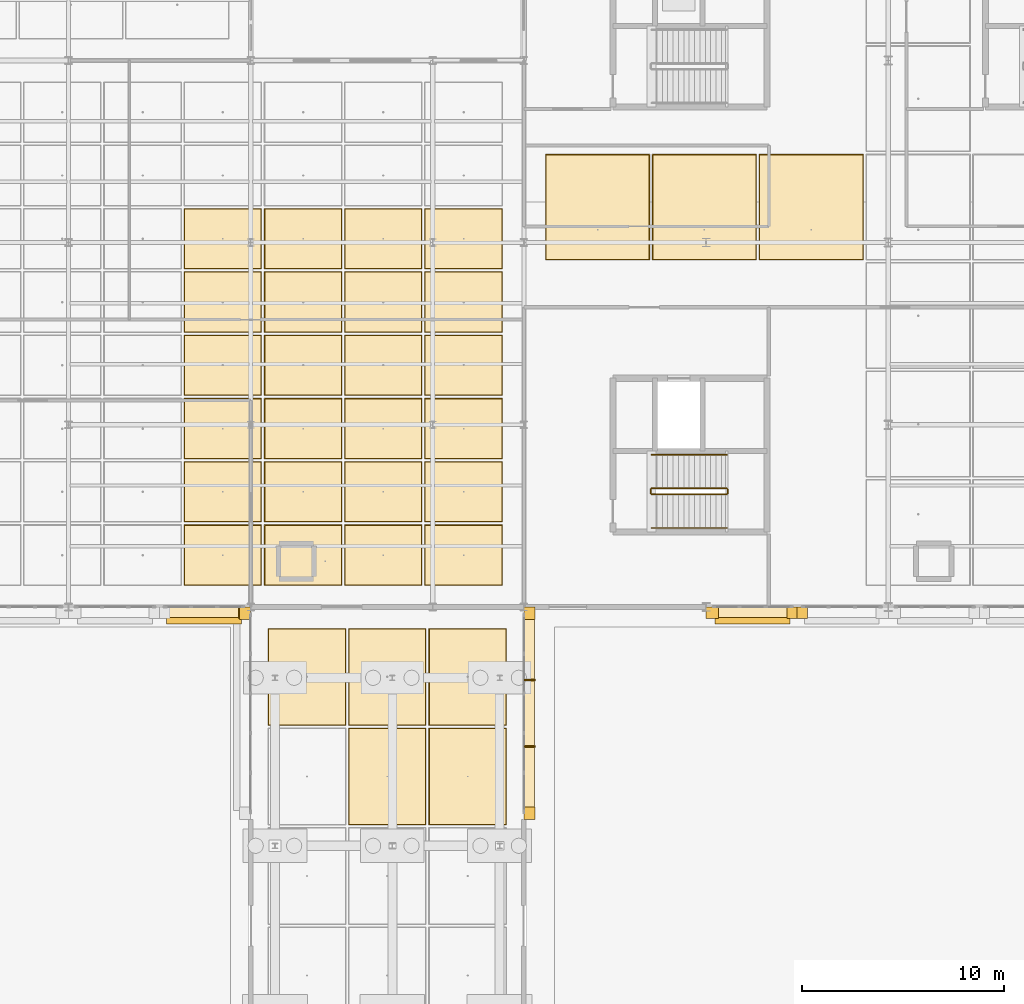
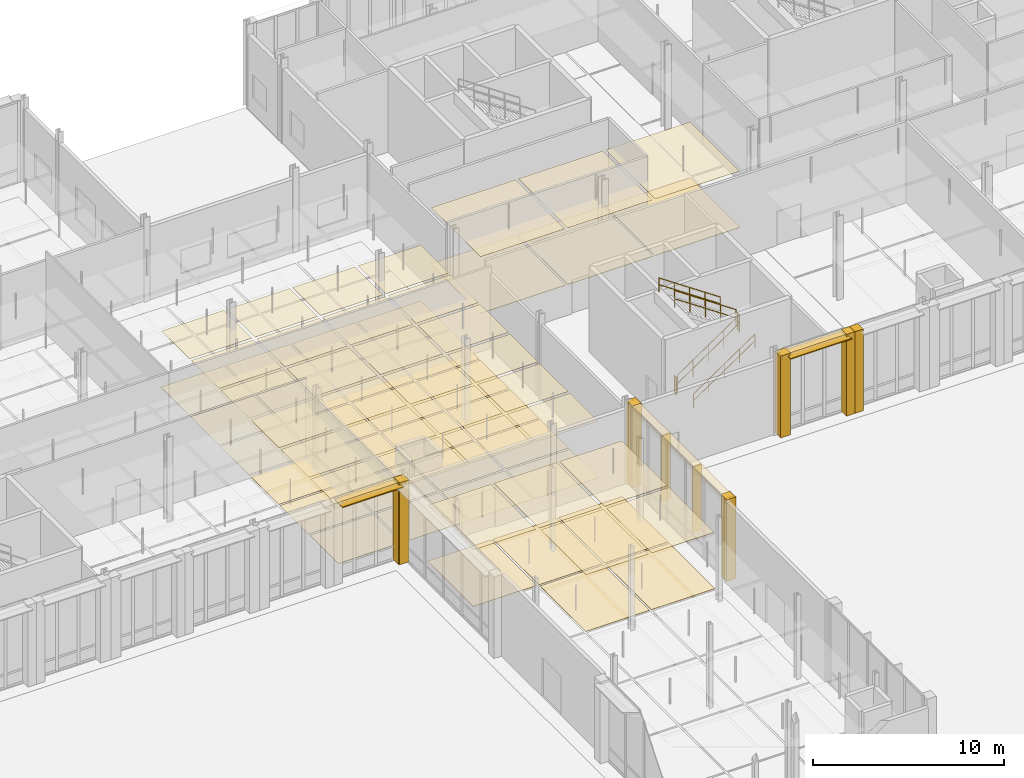
# One storey, part 174 of 180: 74 coverings, 6 railings, 4 shading devices.
"""IFC4 building model written with IfcOpenShell, lengths in metres."""

from ifc_helpers import new_model, si_unit, direction, frame, origin, origin_2d, place, context, subcontext, project, spatial, rectangle, circle, extrude, material, layer, layer_set, type_object, element, save


model = new_model("IFC4")

# Units and contexts
model_context = context("Model", 3, precision=1e-05, world=origin(), true_north=direction((0.0, 1.0)))
body_context = subcontext(model_context, "Body", "Model", "MODEL_VIEW")
ifc_project = project(units=[si_unit("LENGTHUNIT", "METRE"), si_unit("AREAUNIT", "SQUARE_METRE"), si_unit("VOLUMEUNIT", "CUBIC_METRE"), si_unit("PLANEANGLEUNIT", "RADIAN"), si_unit("MASSUNIT", "GRAM", prefix="KILO"), si_unit("THERMODYNAMICTEMPERATUREUNIT", "KELVIN"), si_unit("POWERUNIT", "WATT")], contexts=[model_context])

# Site, building, storey
site_placement = place(None, origin())
site = spatial("IfcSite", under=ifc_project, at=site_placement, CompositionType="ELEMENT")
building_placement = place(site_placement, origin())
building = spatial("IfcBuilding", under=site, at=building_placement, Name="Tallowbark Science Centre", CompositionType="ELEMENT")
storey_placement = place(building_placement, origin())
storey = spatial("IfcBuildingStorey", under=building, at=storey_placement, Name="L00", CompositionType="ELEMENT", Elevation=0.0)

# Coverings
ifc_material_1 = material(Name="Mineral-Fibre Acoustic Ceiling Tile Grid")
ifc_layer_1 = layer(ifc_material_1, 0.01806640625)
ifc_layer_set_1 = layer_set([ifc_layer_1], Name="Mineral-Fibre Acoustic Ceiling Tile Grid")
covering_type_1 = type_object("IfcCoveringType", Name="CLG-ACT-18", PredefinedType="CEILING", material=ifc_layer_set_1)
for number, where, z_axis, x_axis, name in (
    (1, (116.138916015625, 91.75, 3.591064453125), (0.0, 0.0, 1.0), (1.0, 0.0, 0.0), "Suspended Ceiling L00-421"),
    (2, (121.416748046875, 91.75, 3.591064453125), (0.0, 0.0, 1.0), (1.0, 0.0, 0.0), "Suspended Ceiling L00-423"),
    (3, (126.6943359375, 91.75, 3.591064453125), (0.0, 0.0, 1.0), (1.0, 0.0, 0.0), "Suspended Ceiling L00-425"),
):
    element("IfcCovering", number, at=place(storey_placement, frame(where, z_axis=z_axis, x_axis=x_axis)), inside=storey, type_object=covering_type_1, Name=name, PredefinedType="CEILING", context=body_context, shape_type="SweptSolid", body=[
        extrude(rectangle(XDim=5.097900390625, YDim=5.177001953125, at=origin_2d()), origin(), (0.0, 0.0, 1.0), 0.01806640625),
    ])
ifc_material_2 = material(Name="Cleanable Vinyl-Faced Laboratory Ceiling Tile")
ifc_layer_2 = layer(ifc_material_2, 0.01611328125)
ifc_layer_set_2 = layer_set([ifc_layer_2], Name="Cleanable Vinyl-Faced Laboratory Ceiling Tile")
covering_type_2 = type_object("IfcCoveringType", Name="CLG-LAB-16", PredefinedType="CEILING", material=ifc_layer_set_2)
for number, where, z_axis, x_axis, name in (
    (4, (97.625, 74.5625, 3.592041015625), (0.0, 0.0, 1.0), (1.0, 0.0, 0.0), "Suspended Ceiling L00-365"),
    (5, (97.625, 77.6875, 3.592041015625), (0.0, 0.0, 1.0), (1.0, 0.0, 0.0), "Suspended Ceiling L00-366"),
    (6, (97.625, 80.8125, 3.592041015625), (0.0, 0.0, 1.0), (1.0, 0.0, 0.0), "Suspended Ceiling L00-367"),
    (7, (97.625, 83.9375, 3.592041015625), (0.0, 0.0, 1.0), (1.0, 0.0, 0.0), "Suspended Ceiling L00-368"),
    (8, (97.625, 87.0625, 3.592041015625), (0.0, 0.0, 1.0), (1.0, 0.0, 0.0), "Suspended Ceiling L00-369"),
    (9, (97.625, 90.1875, 3.592041015625), (0.0, 0.0, 1.0), (1.0, 0.0, 0.0), "Suspended Ceiling L00-370"),
    (10, (101.58935546875, 74.5625, 3.592041015625), (0.0, 0.0, 1.0), (1.0, 0.0, 0.0), "Suspended Ceiling L00-373"),
    (11, (101.58935546875, 77.6875, 3.592041015625), (0.0, 0.0, 1.0), (1.0, 0.0, 0.0), "Suspended Ceiling L00-374"),
    (12, (101.58935546875, 80.8125, 3.592041015625), (0.0, 0.0, 1.0), (1.0, 0.0, 0.0), "Suspended Ceiling L00-375"),
    (13, (101.58935546875, 83.9375, 3.592041015625), (0.0, 0.0, 1.0), (1.0, 0.0, 0.0), "Suspended Ceiling L00-376"),
    (14, (101.58935546875, 87.0625, 3.592041015625), (0.0, 0.0, 1.0), (1.0, 0.0, 0.0), "Suspended Ceiling L00-377"),
    (15, (101.58935546875, 90.1875, 3.592041015625), (0.0, 0.0, 1.0), (1.0, 0.0, 0.0), "Suspended Ceiling L00-378"),
    (16, (105.5537109375, 74.5625, 3.592041015625), (0.0, 0.0, 1.0), (1.0, 0.0, 0.0), "Suspended Ceiling L00-381"),
    (17, (105.5537109375, 77.6875, 3.592041015625), (0.0, 0.0, 1.0), (1.0, 0.0, 0.0), "Suspended Ceiling L00-382"),
    (18, (105.5537109375, 80.8125, 3.592041015625), (0.0, 0.0, 1.0), (1.0, 0.0, 0.0), "Suspended Ceiling L00-383"),
    (19, (105.5537109375, 83.9375, 3.592041015625), (0.0, 0.0, 1.0), (1.0, 0.0, 0.0), "Suspended Ceiling L00-384"),
    (20, (105.5537109375, 87.0625, 3.592041015625), (0.0, 0.0, 1.0), (1.0, 0.0, 0.0), "Suspended Ceiling L00-385"),
    (21, (105.5537109375, 90.1875, 3.592041015625), (0.0, 0.0, 1.0), (1.0, 0.0, 0.0), "Suspended Ceiling L00-386"),
    (22, (109.517822265625, 74.5625, 3.592041015625), (0.0, 0.0, 1.0), (1.0, 0.0, 0.0), "Suspended Ceiling L00-389"),
    (23, (109.517822265625, 77.6875, 3.592041015625), (0.0, 0.0, 1.0), (1.0, 0.0, 0.0), "Suspended Ceiling L00-390"),
    (24, (109.517822265625, 80.8125, 3.592041015625), (0.0, 0.0, 1.0), (1.0, 0.0, 0.0), "Suspended Ceiling L00-391"),
    (25, (109.517822265625, 83.9375, 3.592041015625), (0.0, 0.0, 1.0), (1.0, 0.0, 0.0), "Suspended Ceiling L00-392"),
    (26, (109.517822265625, 87.0625, 3.592041015625), (0.0, 0.0, 1.0), (1.0, 0.0, 0.0), "Suspended Ceiling L00-393"),
    (27, (109.517822265625, 90.1875, 3.592041015625), (0.0, 0.0, 1.0), (1.0, 0.0, 0.0), "Suspended Ceiling L00-394"),
):
    element("IfcCovering", number, at=place(storey_placement, frame(where, z_axis=z_axis, x_axis=x_axis)), inside=storey, type_object=covering_type_2, Name=name, PredefinedType="CEILING", context=body_context, shape_type="SweptSolid", body=[
        extrude(rectangle(XDim=3.7841796875, YDim=2.945068359375, at=origin_2d()), origin(), (0.0, 0.0, 1.0), 0.01611328125),
    ])
ifc_material_3 = material(Name="Perforated Spotted Gum Acoustic Baffle Ceiling", Category="wood")
ifc_layer_3 = layer(ifc_material_3, 0.02490234375)
ifc_layer_set_3 = layer_set([ifc_layer_3], Name="Perforated Spotted Gum Acoustic Baffle Ceiling")
covering_type_3 = type_object("IfcCoveringType", Name="CLG-TIM-25", PredefinedType="CEILING", material=ifc_layer_set_3)
for number, where, z_axis, x_axis, name in (
    (28, (101.783203125, 68.541748046875, 3.587646484375), (0.0, 0.0, 1.0), (1.0, 0.0, 0.0), "Suspended Ceiling L00-470"),
    (29, (105.75, 63.625, 3.587646484375), (0.0, 0.0, 1.0), (1.0, 0.0, 0.0), "Suspended Ceiling L00-475"),
    (30, (105.75, 68.541748046875, 3.587646484375), (0.0, 0.0, 1.0), (1.0, 0.0, 0.0), "Suspended Ceiling L00-476"),
    (31, (109.716796875, 63.625, 3.587646484375), (0.0, 0.0, 1.0), (1.0, 0.0, 0.0), "Suspended Ceiling L00-481"),
    (32, (109.716796875, 68.541748046875, 3.587646484375), (0.0, 0.0, 1.0), (1.0, 0.0, 0.0), "Suspended Ceiling L00-482"),
):
    element("IfcCovering", number, at=place(storey_placement, frame(where, z_axis=z_axis, x_axis=x_axis)), inside=storey, type_object=covering_type_3, Name=name, PredefinedType="CEILING", context=body_context, shape_type="SweptSolid", body=[
        extrude(rectangle(XDim=3.78662109375, YDim=4.73681640625, at=origin_2d()), origin(), (0.0, 0.0, 1.0), 0.02490234375),
    ])
ifc_material_4 = material(Name="White Architectural Precast Concrete Grade N40 (40 MPa)", Category="concrete")
ifc_layer_4 = layer(ifc_material_4, 0.1201171875)
ifc_layer_set_4 = layer_set([ifc_layer_4], Name="White Architectural Precast Concrete Grade N40 (40 MPa)")
covering_type_4 = type_object("IfcCoveringType", Name="COV-PRC-CLAD", PredefinedType="CLADDING", material=ifc_layer_set_4)
for number, where, z_axis, x_axis, name in (
    (33, (98.719970703125, 71.695068359375, 0.0), (0.0, 0.0, 1.0), (0.0, -1.0, 0.0), "Postmodern Deep Precast Pier CW-L00-008-1"),
    (34, (112.780029296875, 61.804931640625, 0.0), (0.0, 0.0, 1.0), (0.0, 1.0, 0.0), "Postmodern Deep Precast Pier CW-L00-009-1"),
    (35, (112.780029296875, 71.695068359375, 0.0), (0.0, 0.0, 1.0), (0.0, 1.0, 0.0), "Postmodern Deep Precast Pier CW-L00-009-2"),
    (36, (98.695068359375, 71.719970703125, 0.0), (0.0, 0.0, 1.0), (1.0, 0.0, 0.0), "Postmodern Deep Precast Pier CW-L00-027-2"),
    (37, (121.804931640625, 71.719970703125, 0.0), (0.0, 0.0, 1.0), (1.0, 0.0, 0.0), "Postmodern Deep Precast Pier CW-L00-092-1"),
):
    element("IfcCovering", number, at=place(storey_placement, frame(where, z_axis=z_axis, x_axis=x_axis)), inside=storey, type_object=covering_type_4, Name=name, PredefinedType="CLADDING", context=body_context, shape_type="SweptSolid", body=[
        extrude(rectangle(XDim=0.610107421875, YDim=0.56005859375, at=origin_2d()), origin(), (0.0, 0.0, 1.0), 5.219970703125),
    ])
for number, where, z_axis, x_axis, name in (
    (38, (125.7451171875, 71.719970703125, 0.0), (0.0, 0.0, 1.0), (1.0, 0.0, 0.0), "Postmodern Deep Precast Pier CW-L00-092-2"),
    (39, (126.2548828125, 71.719970703125, 0.0), (0.0, 0.0, 1.0), (1.0, 0.0, 0.0), "Postmodern Deep Precast Pier CW-L00-093-1"),
):
    element("IfcCovering", number, at=place(storey_placement, frame(where, z_axis=z_axis, x_axis=x_axis)), inside=storey, type_object=covering_type_4, Name=name, PredefinedType="CLADDING", context=body_context, shape_type="SweptSolid", body=[
        extrude(rectangle(XDim=0.510009765625, YDim=0.56005859375, at=origin_2d()), origin(), (0.0, 0.0, 1.0), 5.219970703125),
    ])
ifc_material_5 = material(Name="Vitrified Ochre Terracotta Architectural Rainscreen", Category="masonry")
ifc_layer_5 = layer(ifc_material_5, 0.0380859375)
ifc_layer_set_5 = layer_set([ifc_layer_5], Name="Vitrified Ochre Terracotta Architectural Rainscreen")
covering_type_5 = type_object("IfcCoveringType", Name="COV-TER-CLAD", PredefinedType="CLADDING", material=ifc_layer_set_5)
covering_placement = place(storey_placement, frame((112.760009765625, 66.75, 4.8701171875), z_axis=(0.0, 0.0, 1.0), x_axis=(0.0, 1.0, 0.0)))
element("IfcCovering", 40, at=covering_placement, inside=storey, type_object=covering_type_5, Name="Postmodern Terracotta Cornice Band CW-L00-009", PredefinedType="CLADDING", context=body_context, shape_type="SweptSolid", body=[
    extrude(rectangle(XDim=10.199951171875, YDim=0.52001953125, at=origin_2d()), origin(), (0.0, 0.0, 1.0), 0.340087890625),
])
for number, where, z_axis, x_axis, name in (
    (41, (96.699951171875, 71.739990234375, 4.8701171875), (0.0, 0.0, 1.0), (1.0, 0.0, 0.0), "Postmodern Terracotta Cornice Band CW-L00-027"),
    (42, (123.800048828125, 71.739990234375, 4.8701171875), (0.0, 0.0, 1.0), (1.0, 0.0, 0.0), "Postmodern Terracotta Cornice Band CW-L00-092"),
):
    element("IfcCovering", number, at=place(storey_placement, frame(where, z_axis=z_axis, x_axis=x_axis)), inside=storey, type_object=covering_type_5, Name=name, PredefinedType="CLADDING", context=body_context, shape_type="SweptSolid", body=[
        extrude(rectangle(XDim=4.300048828125, YDim=0.52001953125, at=origin_2d()), origin(), (0.0, 0.0, 1.0), 0.340087890625),
    ])
ifc_material_6 = material(Name="Polished Recycled-Glass Terrazzo Foyer Flooring", Category="glass")
ifc_layer_6 = layer(ifc_material_6, 0.02001953125)
ifc_layer_set_6 = layer_set([ifc_layer_6], Name="Polished Recycled-Glass Terrazzo Foyer Flooring")
covering_type_6 = type_object("IfcCoveringType", Name="FLR-TER-20", PredefinedType="FLOORING", material=ifc_layer_set_6)
for number, where, z_axis, x_axis, name in (
    (43, (101.783203125, 68.541748046875, 0.0), (0.0, 0.0, 1.0), (1.0, 0.0, 0.0), "Floor Finish L00-470"),
    (44, (105.75, 63.625, 0.0), (0.0, 0.0, 1.0), (1.0, 0.0, 0.0), "Floor Finish L00-475"),
    (45, (105.75, 68.541748046875, 0.0), (0.0, 0.0, 1.0), (1.0, 0.0, 0.0), "Floor Finish L00-476"),
    (46, (109.716796875, 63.625, 0.0), (0.0, 0.0, 1.0), (1.0, 0.0, 0.0), "Floor Finish L00-481"),
    (47, (109.716796875, 68.541748046875, 0.0), (0.0, 0.0, 1.0), (1.0, 0.0, 0.0), "Floor Finish L00-482"),
):
    element("IfcCovering", number, at=place(storey_placement, frame(where, z_axis=z_axis, x_axis=x_axis)), inside=storey, type_object=covering_type_6, Name=name, PredefinedType="FLOORING", context=body_context, shape_type="SweptSolid", body=[
        extrude(rectangle(XDim=3.8466796875, YDim=4.796630859375, at=origin_2d()), origin(), (0.0, 0.0, 1.0), 0.02001953125),
    ])
ifc_material_7 = material(Name="Engineered Blackbutt Gallery Timber Flooring", Category="wood")
ifc_layer_7 = layer(ifc_material_7, 0.02197265625)
ifc_layer_set_7 = layer_set([ifc_layer_7], Name="Engineered Blackbutt Gallery Timber Flooring")
covering_type_7 = type_object("IfcCoveringType", Name="FLR-TIM-22", PredefinedType="FLOORING", material=ifc_layer_set_7)
for number, where, z_axis, x_axis, name in (
    (48, (116.138916015625, 91.75, 0.0), (0.0, 0.0, 1.0), (1.0, 0.0, 0.0), "Floor Finish L00-421"),
    (49, (121.416748046875, 91.75, 0.0), (0.0, 0.0, 1.0), (1.0, 0.0, 0.0), "Floor Finish L00-423"),
    (50, (126.6943359375, 91.75, 0.0), (0.0, 0.0, 1.0), (1.0, 0.0, 0.0), "Floor Finish L00-425"),
):
    element("IfcCovering", number, at=place(storey_placement, frame(where, z_axis=z_axis, x_axis=x_axis)), inside=storey, type_object=covering_type_7, Name=name, PredefinedType="FLOORING", context=body_context, shape_type="SweptSolid", body=[
        extrude(rectangle(XDim=5.15771484375, YDim=5.237060546875, at=origin_2d()), origin(), (0.0, 0.0, 1.0), 0.02197265625),
    ])
ifc_material_8 = material(Name="Chemical-Resistant Seamless Laboratory Vinyl")
ifc_layer_8 = layer(ifc_material_8, 0.011962890625)
ifc_layer_set_8 = layer_set([ifc_layer_8], Name="Chemical-Resistant Seamless Laboratory Vinyl")
covering_type_8 = type_object("IfcCoveringType", Name="FLR-VIN-12", PredefinedType="FLOORING", material=ifc_layer_set_8)
for number, where, z_axis, x_axis, name in (
    (51, (97.625, 74.5625, 0.0), (0.0, 0.0, 1.0), (1.0, 0.0, 0.0), "Floor Finish L00-365"),
    (52, (97.625, 77.6875, 0.0), (0.0, 0.0, 1.0), (1.0, 0.0, 0.0), "Floor Finish L00-366"),
    (53, (97.625, 80.8125, 0.0), (0.0, 0.0, 1.0), (1.0, 0.0, 0.0), "Floor Finish L00-367"),
    (54, (97.625, 83.9375, 0.0), (0.0, 0.0, 1.0), (1.0, 0.0, 0.0), "Floor Finish L00-368"),
    (55, (97.625, 87.0625, 0.0), (0.0, 0.0, 1.0), (1.0, 0.0, 0.0), "Floor Finish L00-369"),
    (56, (97.625, 90.1875, 0.0), (0.0, 0.0, 1.0), (1.0, 0.0, 0.0), "Floor Finish L00-370"),
    (57, (101.58935546875, 74.5625, 0.0), (0.0, 0.0, 1.0), (1.0, 0.0, 0.0), "Floor Finish L00-373"),
    (58, (101.58935546875, 77.6875, 0.0), (0.0, 0.0, 1.0), (1.0, 0.0, 0.0), "Floor Finish L00-374"),
    (59, (101.58935546875, 80.8125, 0.0), (0.0, 0.0, 1.0), (1.0, 0.0, 0.0), "Floor Finish L00-375"),
    (60, (101.58935546875, 83.9375, 0.0), (0.0, 0.0, 1.0), (1.0, 0.0, 0.0), "Floor Finish L00-376"),
    (61, (101.58935546875, 87.0625, 0.0), (0.0, 0.0, 1.0), (1.0, 0.0, 0.0), "Floor Finish L00-377"),
    (62, (101.58935546875, 90.1875, 0.0), (0.0, 0.0, 1.0), (1.0, 0.0, 0.0), "Floor Finish L00-378"),
    (63, (105.5537109375, 74.5625, 0.0), (0.0, 0.0, 1.0), (1.0, 0.0, 0.0), "Floor Finish L00-381"),
    (64, (105.5537109375, 77.6875, 0.0), (0.0, 0.0, 1.0), (1.0, 0.0, 0.0), "Floor Finish L00-382"),
    (65, (105.5537109375, 80.8125, 0.0), (0.0, 0.0, 1.0), (1.0, 0.0, 0.0), "Floor Finish L00-383"),
    (66, (105.5537109375, 83.9375, 0.0), (0.0, 0.0, 1.0), (1.0, 0.0, 0.0), "Floor Finish L00-384"),
    (67, (105.5537109375, 87.0625, 0.0), (0.0, 0.0, 1.0), (1.0, 0.0, 0.0), "Floor Finish L00-385"),
    (68, (105.5537109375, 90.1875, 0.0), (0.0, 0.0, 1.0), (1.0, 0.0, 0.0), "Floor Finish L00-386"),
    (69, (109.517822265625, 74.5625, 0.0), (0.0, 0.0, 1.0), (1.0, 0.0, 0.0), "Floor Finish L00-389"),
    (70, (109.517822265625, 77.6875, 0.0), (0.0, 0.0, 1.0), (1.0, 0.0, 0.0), "Floor Finish L00-390"),
    (71, (109.517822265625, 80.8125, 0.0), (0.0, 0.0, 1.0), (1.0, 0.0, 0.0), "Floor Finish L00-391"),
    (72, (109.517822265625, 83.9375, 0.0), (0.0, 0.0, 1.0), (1.0, 0.0, 0.0), "Floor Finish L00-392"),
    (73, (109.517822265625, 87.0625, 0.0), (0.0, 0.0, 1.0), (1.0, 0.0, 0.0), "Floor Finish L00-393"),
    (74, (109.517822265625, 90.1875, 0.0), (0.0, 0.0, 1.0), (1.0, 0.0, 0.0), "Floor Finish L00-394"),
):
    element("IfcCovering", number, at=place(storey_placement, frame(where, z_axis=z_axis, x_axis=x_axis)), inside=storey, type_object=covering_type_8, Name=name, PredefinedType="FLOORING", context=body_context, shape_type="SweptSolid", body=[
        extrude(rectangle(XDim=3.84423828125, YDim=3.0048828125, at=origin_2d()), origin(), (0.0, 0.0, 1.0), 0.011962890625),
    ])

# Railings
ifc_material_9 = material(Name="Galvanised Painted Steel and Laminated Glass Balustrade", Category="steel")
ifc_layer_9 = layer(ifc_material_9, 0.070068359375)
ifc_layer_set_9 = layer_set([ifc_layer_9], Name="Galvanised Painted Steel and Laminated Glass Balustrade")
railing_type_1 = type_object("IfcRailingType", Name="RLG-BAL-1150", PredefinedType="BALUSTRADE", material=ifc_layer_set_9)
railing_1_placement = place(storey_placement, frame((118.81005859375, 77.56005859375, 0.179931640625)))
element("IfcRailing", 75, at=railing_1_placement, inside=storey, type_object=railing_type_1, Name="L00 ST-02 stair guard 1", PredefinedType="BALUSTRADE", context=body_context, shape_type="SweptSolid", body=[
    extrude(circle(Radius=0.02392578125, at=origin_2d()), frame((0.0, 0.0, 1.076171875), z_axis=(0.827211917306, 0.0, 0.561890063861), x_axis=(0.0, 1.0, 0.0)), (0.0, 0.0, 1.0), 4.48486328125),
    extrude(circle(Radius=0.02392578125, at=origin_2d()), frame((0.0, 0.0, 0.550048828125), z_axis=(0.827211917306, 0.0, 0.561890063861), x_axis=(0.0, 1.0, 0.0)), (0.0, 0.0, 1.0), 4.48486328125),
    extrude(circle(Radius=0.02099609375, at=origin_2d()), origin(), (0.0, 0.0, 1.0), 1.052001953125),
    extrude(circle(Radius=0.02099609375, at=origin_2d()), frame((0.927490234375, 0.0, 0.6298828125)), (0.0, 0.0, 1.0), 1.052001953125),
    extrude(circle(Radius=0.02099609375, at=origin_2d()), frame((1.85498046875, 0.0, 1.260009765625)), (0.0, 0.0, 1.0), 1.052001953125),
    extrude(circle(Radius=0.02099609375, at=origin_2d()), frame((2.782470703125, 0.0, 1.89013671875)), (0.0, 0.0, 1.0), 1.052001953125),
    extrude(circle(Radius=0.02099609375, at=origin_2d()), frame((3.7099609375, 0.0, 2.52001953125)), (0.0, 0.0, 1.0), 1.052001953125),
])
railing_2_placement = place(storey_placement, frame((122.570068359375, 77.610107421875, 2.699951171875)))
element("IfcRailing", 76, at=railing_2_placement, inside=storey, type_object=railing_type_1, Name="L00 ST-02 stair guard 2", PredefinedType="BALUSTRADE", context=body_context, shape_type="SweptSolid", body=[
    extrude(circle(Radius=0.02392578125, at=origin_2d()), frame((0.0, 0.0, 1.076171875), z_axis=(0.0, 1.0, 0.0), x_axis=(-1.0, 0.0, 0.0)), (0.0, 0.0, 1.0), 0.199951171875),
    extrude(circle(Radius=0.02392578125, at=origin_2d()), frame((0.0, 0.0, 0.550048828125), z_axis=(0.0, 1.0, 0.0), x_axis=(-1.0, 0.0, 0.0)), (0.0, 0.0, 1.0), 0.199951171875),
    extrude(circle(Radius=0.02099609375, at=origin_2d()), origin(), (0.0, 0.0, 1.0), 1.052001953125),
    extrude(circle(Radius=0.02099609375, at=origin_2d()), frame((0.0, 0.199951171875, 0.0)), (0.0, 0.0, 1.0), 1.052001953125),
])
railing_3_placement = place(storey_placement, frame((122.52001953125, 77.860107421875, 2.8798828125)))
element("IfcRailing", 77, at=railing_3_placement, inside=storey, type_object=railing_type_1, Name="L00 ST-02 stair guard 3", PredefinedType="BALUSTRADE", context=body_context, shape_type="SweptSolid", body=[
    extrude(circle(Radius=0.02392578125, at=origin_2d()), frame((0.0, 0.0, 1.076171875), z_axis=(-0.827211917306, 0.0, 0.561890063861), x_axis=(0.0, -1.0, 0.0)), (0.0, 0.0, 1.0), 4.48486328125),
    extrude(circle(Radius=0.02392578125, at=origin_2d()), frame((0.0, 0.0, 0.550048828125), z_axis=(-0.827211917306, 0.0, 0.561890063861), x_axis=(0.0, -1.0, 0.0)), (0.0, 0.0, 1.0), 4.48486328125),
    extrude(circle(Radius=0.02099609375, at=origin_2d()), origin(), (0.0, 0.0, 1.0), 1.052001953125),
    extrude(circle(Radius=0.02099609375, at=origin_2d()), frame((-0.927490234375, 0.0, 0.6298828125)), (0.0, 0.0, 1.0), 1.052001953125),
    extrude(circle(Radius=0.02099609375, at=origin_2d()), frame((-1.85498046875, 0.0, 1.260009765625)), (0.0, 0.0, 1.0), 1.052001953125),
    extrude(circle(Radius=0.02099609375, at=origin_2d()), frame((-2.782470703125, 0.0, 1.89013671875)), (0.0, 0.0, 1.0), 1.052001953125),
    extrude(circle(Radius=0.02099609375, at=origin_2d()), frame((-3.7099609375, 0.0, 2.52001953125)), (0.0, 0.0, 1.0), 1.052001953125),
])
railing_4_placement = place(storey_placement, frame((118.760009765625, 77.610107421875, 0.0)))
element("IfcRailing", 78, at=railing_4_placement, inside=storey, type_object=railing_type_1, Name="L00 ST-02 stair guard 4", PredefinedType="BALUSTRADE", context=body_context, shape_type="SweptSolid", body=[
    extrude(circle(Radius=0.02392578125, at=origin_2d()), frame((0.0, 0.0, 1.076171875), z_axis=(0.0, 1.0, 0.0), x_axis=(-1.0, 0.0, 0.0)), (0.0, 0.0, 1.0), 0.199951171875),
    extrude(circle(Radius=0.02392578125, at=origin_2d()), frame((0.0, 0.0, 0.550048828125), z_axis=(0.0, 1.0, 0.0), x_axis=(-1.0, 0.0, 0.0)), (0.0, 0.0, 1.0), 0.199951171875),
    extrude(circle(Radius=0.02099609375, at=origin_2d()), origin(), (0.0, 0.0, 1.0), 1.052001953125),
    extrude(circle(Radius=0.02099609375, at=origin_2d()), frame((0.0, 0.199951171875, 0.0)), (0.0, 0.0, 1.0), 1.052001953125),
])
ifc_material_10 = material(Name="Brushed Grade 316 Stainless Steel Handrail", Category="steel")
ifc_layer_10 = layer(ifc_material_10, 0.050048828125)
ifc_layer_set_10 = layer_set([ifc_layer_10], Name="Brushed Grade 316 Stainless Steel Handrail")
railing_type_2 = type_object("IfcRailingType", Name="RLG-HDR-950", PredefinedType="HANDRAIL", material=ifc_layer_set_10)
railing_5_placement = place(storey_placement, frame((118.81005859375, 75.89990234375, 0.179931640625)))
element("IfcRailing", 79, at=railing_5_placement, inside=storey, type_object=railing_type_2, Name="L00 ST-02 stair handrail 1", PredefinedType="HANDRAIL", context=body_context, shape_type="SweptSolid", body=[
    extrude(circle(Radius=0.02392578125, at=origin_2d()), frame((0.0, 0.0, 0.8759765625), z_axis=(0.827211917306, 0.0, 0.561890063861), x_axis=(0.0, 1.0, 0.0)), (0.0, 0.0, 1.0), 4.48486328125),
    extrude(circle(Radius=0.02392578125, at=origin_2d()), frame((0.0, 0.0, 0.449951171875), z_axis=(0.827211917306, 0.0, 0.561890063861), x_axis=(0.0, 1.0, 0.0)), (0.0, 0.0, 1.0), 4.48486328125),
    extrude(circle(Radius=0.02099609375, at=origin_2d()), origin(), (0.0, 0.0, 1.0), 0.851806640625),
    extrude(circle(Radius=0.02099609375, at=origin_2d()), frame((0.927490234375, 0.0, 0.6298828125)), (0.0, 0.0, 1.0), 0.851806640625),
    extrude(circle(Radius=0.02099609375, at=origin_2d()), frame((1.85498046875, 0.0, 1.260009765625)), (0.0, 0.0, 1.0), 0.851806640625),
    extrude(circle(Radius=0.02099609375, at=origin_2d()), frame((2.782470703125, 0.0, 1.89013671875)), (0.0, 0.0, 1.0), 0.851806640625),
    extrude(circle(Radius=0.02099609375, at=origin_2d()), frame((3.7099609375, 0.0, 2.52001953125)), (0.0, 0.0, 1.0), 0.851806640625),
])
railing_6_placement = place(storey_placement, frame((122.52001953125, 79.52001953125, 2.8798828125)))
element("IfcRailing", 80, at=railing_6_placement, inside=storey, type_object=railing_type_2, Name="L00 ST-02 stair handrail 2", PredefinedType="HANDRAIL", context=body_context, shape_type="SweptSolid", body=[
    extrude(circle(Radius=0.02392578125, at=origin_2d()), frame((0.0, 0.0, 0.8759765625), z_axis=(-0.827211917306, 0.0, 0.561890063861), x_axis=(0.0, -1.0, 0.0)), (0.0, 0.0, 1.0), 4.48486328125),
    extrude(circle(Radius=0.02392578125, at=origin_2d()), frame((0.0, 0.0, 0.449951171875), z_axis=(-0.827211917306, 0.0, 0.561890063861), x_axis=(0.0, -1.0, 0.0)), (0.0, 0.0, 1.0), 4.48486328125),
    extrude(circle(Radius=0.02099609375, at=origin_2d()), origin(), (0.0, 0.0, 1.0), 0.851806640625),
    extrude(circle(Radius=0.02099609375, at=origin_2d()), frame((-0.927490234375, 0.0, 0.6298828125)), (0.0, 0.0, 1.0), 0.851806640625),
    extrude(circle(Radius=0.02099609375, at=origin_2d()), frame((-1.85498046875, 0.0, 1.260009765625)), (0.0, 0.0, 1.0), 0.851806640625),
    extrude(circle(Radius=0.02099609375, at=origin_2d()), frame((-2.782470703125, 0.0, 1.89013671875)), (0.0, 0.0, 1.0), 0.851806640625),
    extrude(circle(Radius=0.02099609375, at=origin_2d()), frame((-3.7099609375, 0.0, 2.52001953125)), (0.0, 0.0, 1.0), 0.851806640625),
])

# Shading devices
ifc_material_11 = material(Name="Sandstone-Finished Architectural Aluminium Solar Fin", Category="masonry")
shading_device_type_1 = type_object("IfcShadingDeviceType", Name="SHD-FIN-400", PredefinedType="JALOUSIE", material=ifc_material_11)
for number, where, z_axis, x_axis, name in (
    (81, (112.780029296875, 65.11669921875, 0.9248046875), (0.0, 0.0, 1.0), (0.0, 1.0, 0.0), "Vertical Solar Fin CW-L00-009-1"),
    (82, (112.780029296875, 68.38330078125, 0.9248046875), (0.0, 0.0, 1.0), (0.0, 1.0, 0.0), "Vertical Solar Fin CW-L00-009-2"),
):
    element("IfcShadingDevice", number, at=place(storey_placement, frame(where, z_axis=z_axis, x_axis=x_axis)), inside=storey, type_object=shading_device_type_1, Name=name, PredefinedType="JALOUSIE", context=body_context, shape_type="SweptSolid", body=[
        extrude(rectangle(XDim=0.074951171875, YDim=0.550048828125, at=origin_2d()), origin(), (0.0, 0.0, 1.0), 4.219970703125),
    ])
ifc_material_12 = material(Name="Terracotta-Anodised Extruded Aluminium Sunshade Blade", Category="masonry")
ifc_layer_11 = layer(ifc_material_12, 0.054931640625)
ifc_layer_set_11 = layer_set([ifc_layer_11], Name="Terracotta-Anodised Extruded Aluminium Sunshade Blade")
shading_device_type_2 = type_object("IfcShadingDeviceType", Name="SHD-LVR-300", PredefinedType="AWNING", material=ifc_layer_set_11)
for number, where, z_axis, x_axis, name in (
    (83, (96.699951171875, 71.580078125, 5.03271484375), (0.0, 0.0, 1.0), (1.0, 0.0, 0.0), "Horizontal Solar Louvre Hood CW-L00-027"),
    (84, (123.800048828125, 71.580078125, 5.03271484375), (0.0, 0.0, 1.0), (1.0, 0.0, 0.0), "Horizontal Solar Louvre Hood CW-L00-092"),
):
    element("IfcShadingDevice", number, at=place(storey_placement, frame(where, z_axis=z_axis, x_axis=x_axis)), inside=storey, type_object=shading_device_type_2, Name=name, PredefinedType="AWNING", context=body_context, shape_type="SweptSolid", body=[
        extrude(rectangle(XDim=3.699951171875, YDim=0.840087890625, at=origin_2d()), origin(), (0.0, 0.0, 1.0), 0.054931640625),
    ])

save(model, "model.ifc")
